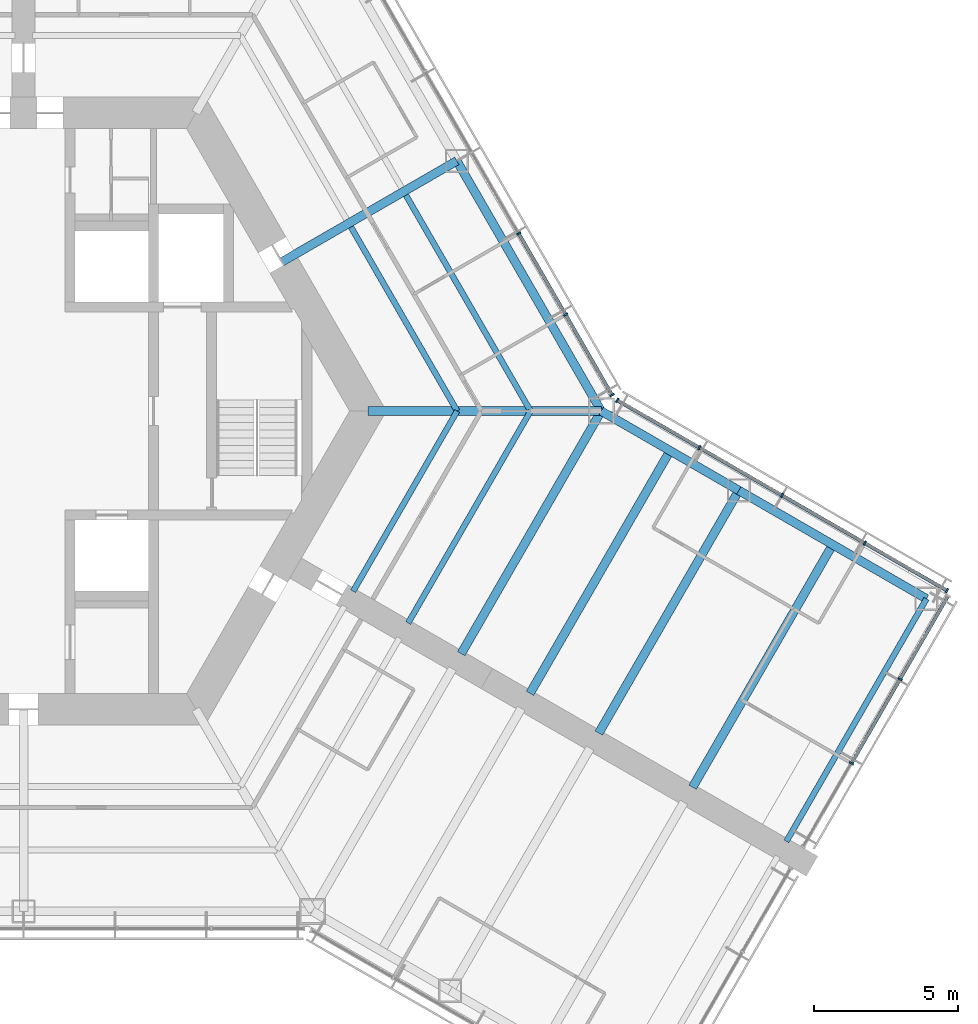
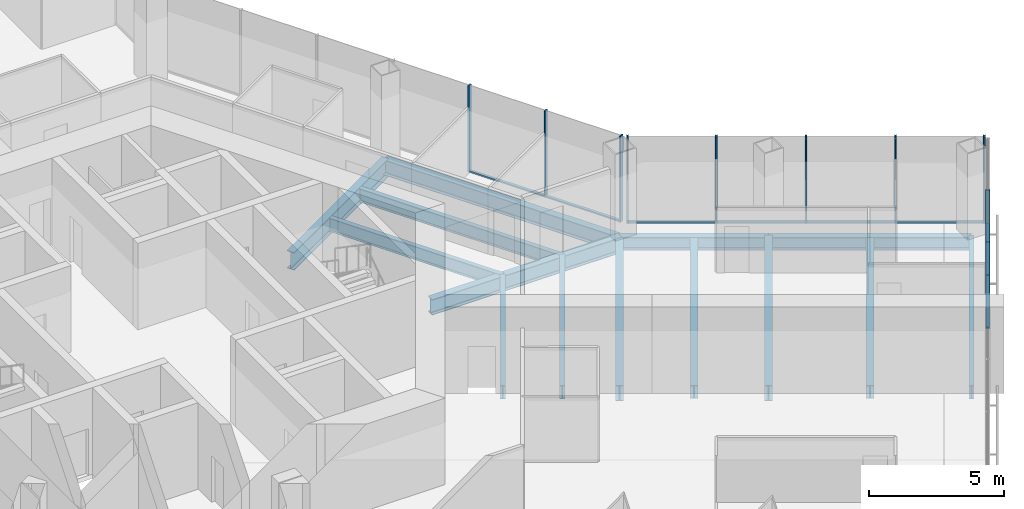
# One storey, part 6 of 19: 18 members, 14 beams, 3 elements without a shape of their own.
"""IFC4 building model written with IfcOpenShell, lengths in metres."""

from ifc_helpers import new_model, si_unit, direction, frame, origin, origin_2d, place, context, subcontext, project, spatial, rectangle, i_section, extrude, material, material_profile, profile_set, type_object, element, aggregate, save


model = new_model("IFC4")

# Units and contexts
model_context = context("Model", 3, precision=1e-05, world=origin(), true_north=direction((0.0, 1.0)))
body_context = subcontext(model_context, "Body", "Model", "MODEL_VIEW")
ifc_project = project(units=[si_unit("LENGTHUNIT", "METRE"), si_unit("AREAUNIT", "SQUARE_METRE"), si_unit("VOLUMEUNIT", "CUBIC_METRE"), si_unit("PLANEANGLEUNIT", "RADIAN"), si_unit("MASSUNIT", "GRAM", prefix="KILO")], contexts=[model_context])

# Site, building, storey
site_placement = place(None, origin())
site = spatial("IfcSite", under=ifc_project, at=site_placement, CompositionType="ELEMENT")
building_placement = place(site_placement, origin())
building = spatial("IfcBuilding", under=site, at=building_placement, Name="Kasaneha Research Tower", CompositionType="ELEMENT")
storey_placement = place(building_placement, frame((0.0, 0.0, 96.300048828125)))
storey = spatial("IfcBuildingStorey", under=building, at=storey_placement, Name="L24", CompositionType="ELEMENT", Elevation=96.300048828125)

# Beams
ifc_material_1 = material(Name="Steel SN490B", Category="steel")
ifc_material_profile_1 = material_profile(ifc_material_1, i_section(OverallWidth=0.199951171875, OverallDepth=0.60009765625, WebThickness=0.010986328125, FlangeThickness=0.01708984375, FilletRadius=0.012939453125, at=origin_2d()), Name="H-600x200x11x17")
ifc_profile_set_1 = profile_set([ifc_material_profile_1], Name="Steel SN490B")
beam_type_1 = type_object("IfcBeamType", Name="B1-3 secondary beam H-600x200x11x17", PredefinedType="JOIST", material=ifc_profile_set_1)
beam_1_placement = place(storey_placement, frame((15.010986328125, 0.0, -0.449951171875), z_axis=(-0.499994443168, 0.866028611999, 0.0), x_axis=(-0.866028611999, -0.499994443168, 0.0)))
element("IfcBeam", 1, at=beam_1_placement, inside=storey, type_object=beam_type_1, Name="Secondary beam RS030L1 L24", PredefinedType="JOIST", context=body_context, shape_type="SweptSolid", body=[
    extrude(i_section(OverallWidth=0.199951171875, OverallDepth=0.60009765625, WebThickness=0.010986328125, FlangeThickness=0.01708984375, FilletRadius=0.012939453125, at=origin_2d()), origin(), (0.0, 0.0, 1.0), 7.35546875),
])
beam_2_placement = place(storey_placement, frame((17.551513671875, 0.0, -0.449951171875), z_axis=(-0.5000050195, 0.866022505755, 0.0), x_axis=(-0.866022505755, -0.5000050195, 0.0)))
element("IfcBeam", 2, at=beam_2_placement, inside=storey, type_object=beam_type_1, Name="Secondary beam RS030L2 L24", PredefinedType="JOIST", context=body_context, shape_type="SweptSolid", body=[
    extrude(i_section(OverallWidth=0.199951171875, OverallDepth=0.60009765625, WebThickness=0.010986328125, FlangeThickness=0.01708984375, FilletRadius=0.012939453125, at=origin_2d()), origin(), (0.0, 0.0, 1.0), 8.6259765625),
])
beam_3_placement = place(storey_placement, frame((15.010986328125, 0.0, -0.449951171875), z_axis=(-0.499972735707, -0.866041144259, 0.0), x_axis=(0.866041144259, -0.499972735707, 0.0)))
element("IfcBeam", 3, at=beam_3_placement, inside=storey, type_object=beam_type_1, Name="Secondary beam RS330R1 L24", PredefinedType="JOIST", context=body_context, shape_type="SweptSolid", body=[
    extrude(i_section(OverallWidth=0.199951171875, OverallDepth=0.60009765625, WebThickness=0.010986328125, FlangeThickness=0.01708984375, FilletRadius=0.012939453125, at=origin_2d()), origin(), (0.0, 0.0, 1.0), 7.20556640625),
])
beam_4_placement = place(storey_placement, frame((17.551513671875, 0.0, -0.449951171875), z_axis=(-0.500020829043, -0.866013377797, 0.0), x_axis=(0.866013377797, -0.500020829043, 0.0)))
element("IfcBeam", 4, at=beam_4_placement, inside=storey, type_object=beam_type_1, Name="Secondary beam RS330R2 L24", PredefinedType="JOIST", context=body_context, shape_type="SweptSolid", body=[
    extrude(i_section(OverallWidth=0.199951171875, OverallDepth=0.60009765625, WebThickness=0.010986328125, FlangeThickness=0.01708984375, FilletRadius=0.012939453125, at=origin_2d()), origin(), (0.0, 0.0, 1.0), 8.475830078125),
])
ifc_material_2 = material(Name="Steel SN490B", Category="steel")
ifc_material_profile_2 = material_profile(ifc_material_2, i_section(OverallWidth=0.300048828125, OverallDepth=0.58203125, WebThickness=0.011962890625, FlangeThickness=0.01708984375, FilletRadius=0.012939453125, at=origin_2d()), Name="H-582x300x12x17")
ifc_profile_set_2 = profile_set([ifc_material_profile_2], Name="Steel SN490B")
beam_type_2 = type_object("IfcBeamType", Name="B2-3 secondary beam H-582x300x12x17", PredefinedType="JOIST", material=ifc_profile_set_2)
for number, where, z_axis, x_axis, name in (
    (5, (22.381591796875, -1.375, -0.441162109375), (-0.500010041276, -0.866019606374, 0.0), (0.866019606374, -0.500010041276, 0.0), "Secondary beam WBCN1 L24"),
    (6, (28.0107421875, -4.625, -0.441162109375), (-0.500010041276, -0.866019606374, 0.0), (0.866019606374, -0.500010041276, 0.0), "Secondary beam WBCN2 L24"),
):
    element("IfcBeam", number, at=place(storey_placement, frame(where, z_axis=z_axis, x_axis=x_axis)), inside=storey, type_object=beam_type_2, Name=name, PredefinedType="JOIST", context=body_context, shape_type="SweptSolid", body=[
        extrude(i_section(OverallWidth=0.300048828125, OverallDepth=0.58203125, WebThickness=0.011962890625, FlangeThickness=0.01708984375, FilletRadius=0.012939453125, at=origin_2d()), origin(), (0.0, 0.0, 1.0), 9.699951171875),
    ])

# Curtain wall, members
ifc_material_3 = material(Name="Glass and aluminium", Category="aluminium")
curtain_wall_type = type_object("IfcCurtainWallType", Name="Low-rise office curtain wall", PredefinedType="USERDEFINED", material=ifc_material_3)
curtain_wall_1_placement = place(storey_placement, origin())
curtain_wall_1 = element("IfcCurtainWall", 7, at=curtain_wall_1_placement, inside=storey, type_object=curtain_wall_type, Name="CW-O1 L24 run 05a", ObjectType="UNITISED CURTAIN WALL", PredefinedType="USERDEFINED")
ifc_material_4 = material(Name="Aluminium 6063-T6", Category="aluminium")
ifc_material_profile_3 = material_profile(ifc_material_4, rectangle(XDim=0.06005859375, YDim=0.159912109375, at=origin_2d()), Name="CW-O1 mullion 60x160")
ifc_profile_set_3 = profile_set([ifc_material_profile_3], Name="Aluminium 6063-T6")
member_type_1 = type_object("IfcMemberType", Name="CW-O1 mullion", PredefinedType="MULLION", material=ifc_profile_set_3)
member_1_placement = place(storey_placement, frame((28.661376953125, -12.1982421875, 0.0), z_axis=(0.0, 0.0, 1.0), x_axis=(0.500000011442, 0.866025397178, 0.0)))
member_1 = element("IfcMember", 8, at=member_1_placement, type_object=member_type_1, Name="CW-O1 mullion 2", PredefinedType="MULLION", context=body_context, shape_type="SweptSolid", body=[
    extrude(rectangle(XDim=0.06005859375, YDim=0.159912109375, at=origin_2d()), origin(), (0.0, 0.0, 1.0), 3.89990234375),
])
member_2_placement = place(storey_placement, frame((30.3447265625, -9.28271484375, 0.0), z_axis=(0.0, 0.0, 1.0), x_axis=(0.500000011442, 0.866025397178, 0.0)))
member_2 = element("IfcMember", 9, at=member_2_placement, type_object=member_type_1, Name="CW-O1 mullion 3", PredefinedType="MULLION", context=body_context, shape_type="SweptSolid", body=[
    extrude(rectangle(XDim=0.06005859375, YDim=0.159912109375, at=origin_2d()), origin(), (0.0, 0.0, 1.0), 3.89990234375),
])

curtain_wall_2_placement = place(storey_placement, origin())
curtain_wall_2 = element("IfcCurtainWall", 10, at=curtain_wall_2_placement, inside=storey, type_object=curtain_wall_type, Name="CW-O1 L24 run 06a", ObjectType="UNITISED CURTAIN WALL", PredefinedType="USERDEFINED")
member_3_placement = place(storey_placement, frame((31.96533203125, -6.21533203125, 0.0), z_axis=(0.0, 0.0, 1.0), x_axis=(-0.866025411464, 0.499999986699, 0.0)))
member_3 = element("IfcMember", 11, at=member_3_placement, type_object=member_type_1, Name="CW-O1 mullion 1", PredefinedType="MULLION", context=body_context, shape_type="SweptSolid", body=[
    extrude(rectangle(XDim=0.06005859375, YDim=0.159912109375, at=origin_2d()), origin(), (0.0, 0.0, 1.0), 3.89990234375),
])
member_4_placement = place(storey_placement, frame((29.125, -4.575439453125, 0.0), z_axis=(0.0, 0.0, 1.0), x_axis=(-0.866025411464, 0.499999986699, 0.0)))
member_4 = element("IfcMember", 12, at=member_4_placement, type_object=member_type_1, Name="CW-O1 mullion 2", PredefinedType="MULLION", context=body_context, shape_type="SweptSolid", body=[
    extrude(rectangle(XDim=0.06005859375, YDim=0.159912109375, at=origin_2d()), origin(), (0.0, 0.0, 1.0), 3.89990234375),
])
member_5_placement = place(storey_placement, frame((26.258544921875, -2.920654296875, 0.0), z_axis=(0.0, 0.0, 1.0), x_axis=(-0.866025411464, 0.499999986699, 0.0)))
member_5 = element("IfcMember", 13, at=member_5_placement, type_object=member_type_1, Name="CW-O1 mullion 3", PredefinedType="MULLION", context=body_context, shape_type="SweptSolid", body=[
    extrude(rectangle(XDim=0.06005859375, YDim=0.159912109375, at=origin_2d()), origin(), (0.0, 0.0, 1.0), 3.89990234375),
])
member_6_placement = place(storey_placement, frame((23.39208984375, -1.265625, 0.0), z_axis=(0.0, 0.0, 1.0), x_axis=(-0.866025411464, 0.499999986699, 0.0)))
member_6 = element("IfcMember", 14, at=member_6_placement, type_object=member_type_1, Name="CW-O1 mullion 4", PredefinedType="MULLION", context=body_context, shape_type="SweptSolid", body=[
    extrude(rectangle(XDim=0.06005859375, YDim=0.159912109375, at=origin_2d()), origin(), (0.0, 0.0, 1.0), 3.89990234375),
])
member_7_placement = place(storey_placement, frame((20.5517578125, 0.374267578125, 0.0), z_axis=(0.0, 0.0, 1.0), x_axis=(-0.866025411464, 0.499999986699, 0.0)))
member_7 = element("IfcMember", 15, at=member_7_placement, type_object=member_type_1, Name="CW-O1 mullion 5", PredefinedType="MULLION", context=body_context, shape_type="SweptSolid", body=[
    extrude(rectangle(XDim=0.06005859375, YDim=0.159912109375, at=origin_2d()), origin(), (0.0, 0.0, 1.0), 3.89990234375),
])

curtain_wall_3_placement = place(storey_placement, origin())
curtain_wall_3 = element("IfcCurtainWall", 16, at=curtain_wall_3_placement, inside=storey, type_object=curtain_wall_type, Name="CW-O1 L24 run 07a", ObjectType="UNITISED CURTAIN WALL", PredefinedType="USERDEFINED")
member_8_placement = place(storey_placement, frame((20.374267578125, 0.5517578125, 0.0), z_axis=(0.0, 0.0, 1.0), x_axis=(-0.49999996188, 0.866025425793, 0.0)))
member_8 = element("IfcMember", 17, at=member_8_placement, type_object=member_type_1, Name="CW-O1 mullion 1", PredefinedType="MULLION", context=body_context, shape_type="SweptSolid", body=[
    extrude(rectangle(XDim=0.06005859375, YDim=0.159912109375, at=origin_2d()), origin(), (0.0, 0.0, 1.0), 3.89990234375),
])
member_9_placement = place(storey_placement, frame((18.76611328125, 3.33740234375, 0.0), z_axis=(0.0, 0.0, 1.0), x_axis=(-0.49999996188, 0.866025425793, 0.0)))
member_9 = element("IfcMember", 18, at=member_9_placement, type_object=member_type_1, Name="CW-O1 mullion 2", PredefinedType="MULLION", context=body_context, shape_type="SweptSolid", body=[
    extrude(rectangle(XDim=0.06005859375, YDim=0.159912109375, at=origin_2d()), origin(), (0.0, 0.0, 1.0), 3.89990234375),
])
member_10_placement = place(storey_placement, frame((17.142822265625, 6.148681640625, 0.0), z_axis=(0.0, 0.0, 1.0), x_axis=(-0.49999996188, 0.866025425793, 0.0)))
member_10 = element("IfcMember", 19, at=member_10_placement, type_object=member_type_1, Name="CW-O1 mullion 3", PredefinedType="MULLION", context=body_context, shape_type="SweptSolid", body=[
    extrude(rectangle(XDim=0.06005859375, YDim=0.159912109375, at=origin_2d()), origin(), (0.0, 0.0, 1.0), 3.89990234375),
])

# Member
ifc_material_5 = material(Name="Aluminium 6063-T6", Category="aluminium")
ifc_material_profile_4 = material_profile(ifc_material_5, rectangle(XDim=0.1201171875, YDim=0.06005859375, at=origin_2d()), Name="CW-O1 transom 120x60")
ifc_profile_set_4 = profile_set([ifc_material_profile_4], Name="Aluminium 6063-T6")
member_type_2 = type_object("IfcMemberType", Name="CW-O1 transom", PredefinedType="USERDEFINED", material=ifc_profile_set_4)
member_11_placement = place(storey_placement, frame((28.67626953125, -12.17236328125, 0.030029296875), z_axis=(0.499982354831, 0.866035590988, 0.0), x_axis=(-0.866035590988, 0.499982354831, 0.0)))
member_11 = element("IfcMember", 20, at=member_11_placement, type_object=member_type_2, Name="CW-O1 transom 2", ObjectType="TRANSOM", PredefinedType="USERDEFINED", context=body_context, shape_type="SweptSolid", body=[
    extrude(rectangle(XDim=0.1201171875, YDim=0.06005859375, at=origin_2d()), origin(), (0.0, 0.0, 1.0), 3.306640625),
])

member_12_placement = place(storey_placement, frame((30.359619140625, -9.256591796875, 0.030029296875), z_axis=(0.500025583411, 0.866010632691, 0.0), x_axis=(-0.866010632691, 0.500025583411, 0.0)))
member_12 = element("IfcMember", 21, at=member_12_placement, type_object=member_type_2, Name="CW-O1 transom 3", ObjectType="TRANSOM", PredefinedType="USERDEFINED", context=body_context, shape_type="SweptSolid", body=[
    extrude(rectangle(XDim=0.1201171875, YDim=0.06005859375, at=origin_2d()), origin(), (0.0, 0.0, 1.0), 3.276611328125),
])

aggregate(curtain_wall_1, [member_1, member_2, member_11, member_12])

member_13_placement = place(storey_placement, frame((31.939453125, -6.200439453125, 0.030029296875), z_axis=(-0.866041647767, 0.499971863542, 0.0), x_axis=(-0.499971863542, -0.866041647767, 0.0)))
member_13 = element("IfcMember", 22, at=member_13_placement, type_object=member_type_2, Name="CW-O1 transom 1", ObjectType="TRANSOM", PredefinedType="USERDEFINED", context=body_context, shape_type="SweptSolid", body=[
    extrude(rectangle(XDim=0.1201171875, YDim=0.06005859375, at=origin_2d()), origin(), (0.0, 0.0, 1.0), 3.219970703125),
])

member_14_placement = place(storey_placement, frame((29.098876953125, -4.560546875, 0.030029296875), z_axis=(-0.86599666273, 0.500049777664, 0.0), x_axis=(-0.500049777664, -0.86599666273, 0.0)))
member_14 = element("IfcMember", 23, at=member_14_placement, type_object=member_type_2, Name="CW-O1 transom 2", ObjectType="TRANSOM", PredefinedType="USERDEFINED", context=body_context, shape_type="SweptSolid", body=[
    extrude(rectangle(XDim=0.1201171875, YDim=0.06005859375, at=origin_2d()), origin(), (0.0, 0.0, 1.0), 3.249755859375),
])

member_15_placement = place(storey_placement, frame((26.232666015625, -2.905517578125, 0.030029296875), z_axis=(-0.86604797581, 0.499960902066, 0.0), x_axis=(-0.499960902066, -0.86604797581, 0.0)))
member_15 = element("IfcMember", 24, at=member_15_placement, type_object=member_type_2, Name="CW-O1 transom 3", ObjectType="TRANSOM", PredefinedType="USERDEFINED", context=body_context, shape_type="SweptSolid", body=[
    extrude(rectangle(XDim=0.1201171875, YDim=0.06005859375, at=origin_2d()), origin(), (0.0, 0.0, 1.0), 3.249755859375),
])

member_16_placement = place(storey_placement, frame((23.3662109375, -1.250732421875, 0.030029296875), z_axis=(-0.866022692473, 0.500004696101, 0.0), x_axis=(-0.500004696101, -0.866022692473, 0.0)))
member_16 = element("IfcMember", 25, at=member_16_placement, type_object=member_type_2, Name="CW-O1 transom 4", ObjectType="TRANSOM", PredefinedType="USERDEFINED", context=body_context, shape_type="SweptSolid", body=[
    extrude(rectangle(XDim=0.1201171875, YDim=0.06005859375, at=origin_2d()), origin(), (0.0, 0.0, 1.0), 3.2197265625),
])

aggregate(curtain_wall_2, [member_3, member_4, member_5, member_6, member_7, member_13, member_14, member_15, member_16])

member_17_placement = place(storey_placement, frame((20.359130859375, 0.577880859375, 0.030029296875), z_axis=(-0.499999210213, 0.866025859768, 0.0), x_axis=(-0.866025859768, -0.499999210213, 0.0)))
member_17 = element("IfcMember", 26, at=member_17_placement, type_object=member_type_2, Name="CW-O1 transom 1", ObjectType="TRANSOM", PredefinedType="USERDEFINED", context=body_context, shape_type="SweptSolid", body=[
    extrude(rectangle(XDim=0.1201171875, YDim=0.06005859375, at=origin_2d()), origin(), (0.0, 0.0, 1.0), 3.15625),
])

member_18_placement = place(storey_placement, frame((18.7509765625, 3.36328125, 0.030029296875), z_axis=(-0.500012062035, 0.866018439653, 0.0), x_axis=(-0.866018439653, -0.500012062035, 0.0)))
member_18 = element("IfcMember", 27, at=member_18_placement, type_object=member_type_2, Name="CW-O1 transom 2", ObjectType="TRANSOM", PredefinedType="USERDEFINED", context=body_context, shape_type="SweptSolid", body=[
    extrude(rectangle(XDim=0.1201171875, YDim=0.06005859375, at=origin_2d()), origin(), (0.0, 0.0, 1.0), 3.1865234375),
])

aggregate(curtain_wall_3, [member_8, member_9, member_10, member_17, member_18])

# Beams
ifc_material_6 = material(Name="Steel SN490B", Category="steel")
ifc_material_profile_5 = material_profile(ifc_material_6, i_section(OverallWidth=0.300048828125, OverallDepth=0.699951171875, WebThickness=0.012939453125, FlangeThickness=0.02392578125, FilletRadius=0.01806640625, at=origin_2d()), Name="H-700x300x13x24")
ifc_profile_set_5 = profile_set([ifc_material_profile_5], Name="Steel SN490B")
beam_type_3 = type_object("IfcBeamType", Name="G1-3 radial girder H-700x300x13x24", PredefinedType="BEAM", material=ifc_profile_set_5)
beam_5_placement = place(storey_placement, frame((11.92236328125, 0.0, -0.5), z_axis=(1.0, 0.0, 0.0), x_axis=(0.0, 1.0, 0.0)))
element("IfcBeam", 28, at=beam_5_placement, inside=storey, type_object=beam_type_3, Name="Radial girder RV000 L24", PredefinedType="BEAM", context=body_context, shape_type="SweptSolid", body=[
    extrude(i_section(OverallWidth=0.300048828125, OverallDepth=0.699951171875, WebThickness=0.012939453125, FlangeThickness=0.02392578125, FilletRadius=0.01806640625, at=origin_2d()), origin(), (0.0, 0.0, 1.0), 8.07763671875),
])
ifc_material_7 = material(Name="Steel SN490B", Category="steel")
ifc_material_profile_6 = material_profile(ifc_material_7, i_section(OverallWidth=0.300048828125, OverallDepth=0.800048828125, WebThickness=0.013916015625, FlangeThickness=0.02587890625, FilletRadius=0.01806640625, at=origin_2d()), Name="H-800x300x14x26")
ifc_profile_set_6 = profile_set([ifc_material_profile_6], Name="Steel SN490B")
beam_type_4 = type_object("IfcBeamType", Name="G2-3 radial girder H-800x300x14x26", PredefinedType="BEAM", material=ifc_profile_set_6)
beam_6_placement = place(storey_placement, frame((8.941650390625, 5.16259765625, -0.550048828125), z_axis=(0.866039713508, 0.499975214012, 0.0), x_axis=(-0.499975214012, 0.866039713508, 0.0)))
element("IfcBeam", 29, at=beam_6_placement, inside=storey, type_object=beam_type_4, Name="Radial girder RM030 L24", PredefinedType="BEAM", context=body_context, shape_type="SweptSolid", body=[
    extrude(i_section(OverallWidth=0.300048828125, OverallDepth=0.800048828125, WebThickness=0.013916015625, FlangeThickness=0.02587890625, FilletRadius=0.01806640625, at=origin_2d()), origin(), (0.0, 0.0, 1.0), 6.995361328125),
])
ifc_material_8 = material(Name="Steel SN490B", Category="steel")
ifc_material_profile_7 = material_profile(ifc_material_8, i_section(OverallWidth=0.300048828125, OverallDepth=0.69189453125, WebThickness=0.012939453125, FlangeThickness=0.02001953125, FilletRadius=0.01806640625, at=origin_2d()), Name="H-692x300x13x20")
ifc_profile_set_7 = profile_set([ifc_material_profile_7], Name="Steel SN490B")
beam_type_5 = type_object("IfcBeamType", Name="G3-3 plate edge girder H-692x300x13x20", PredefinedType="BEAM", material=ifc_profile_set_7)
beam_7_placement = place(storey_placement, frame((20.0, 0.0, -0.49609375), z_axis=(-0.500010041276, -0.866019606374, 0.0), x_axis=(0.866019606374, -0.500010041276, 0.0)))
element("IfcBeam", 30, at=beam_7_placement, inside=storey, type_object=beam_type_5, Name="Plate edge girder PECN L24", PredefinedType="BEAM", context=body_context, shape_type="SweptSolid", body=[
    extrude(i_section(OverallWidth=0.300048828125, OverallDepth=0.69189453125, WebThickness=0.012939453125, FlangeThickness=0.02001953125, FilletRadius=0.01806640625, at=origin_2d()), origin(), (0.0, 0.0, 1.0), 9.699951171875),
])
ifc_material_9 = material(Name="Steel SN490B", Category="steel")
ifc_material_profile_8 = material_profile(ifc_material_9, i_section(OverallWidth=0.300048828125, OverallDepth=0.699951171875, WebThickness=0.012939453125, FlangeThickness=0.02392578125, FilletRadius=0.01806640625, at=origin_2d()), Name="H-700x300x13x24")
ifc_profile_set_8 = profile_set([ifc_material_profile_8], Name="Steel SN490B")
beam_type_6 = type_object("IfcBeamType", Name="G4-3 wing girder H-700x300x13x24", PredefinedType="BEAM", material=ifc_profile_set_8)
beam_8_placement = place(storey_placement, frame((24.76318359375, -2.75, -0.5), z_axis=(-0.500010041276, -0.866019606374, 0.0), x_axis=(0.866019606374, -0.500010041276, 0.0)))
element("IfcBeam", 31, at=beam_8_placement, inside=storey, type_object=beam_type_6, Name="Wing girder WGCN L24", PredefinedType="BEAM", context=body_context, shape_type="SweptSolid", body=[
    extrude(i_section(OverallWidth=0.300048828125, OverallDepth=0.699951171875, WebThickness=0.012939453125, FlangeThickness=0.02392578125, FilletRadius=0.01806640625, at=origin_2d()), origin(), (0.0, 0.0, 1.0), 9.699951171875),
])
ifc_material_10 = material(Name="Steel SN490B", Category="steel")
ifc_material_profile_9 = material_profile(ifc_material_10, i_section(OverallWidth=0.300048828125, OverallDepth=0.69189453125, WebThickness=0.012939453125, FlangeThickness=0.02001953125, FilletRadius=0.01806640625, at=origin_2d()), Name="H-692x300x13x20")
ifc_profile_set_9 = profile_set([ifc_material_profile_9], Name="Steel SN490B")
beam_type_7 = type_object("IfcBeamType", Name="SB1-3 spandrel beam H-692x300x13x20", PredefinedType="SPANDREL", material=ifc_profile_set_9)
beam_9_placement = place(storey_placement, frame((20.0, 0.0, -0.49609375), z_axis=(-0.500004234368, 0.866022959057, 0.0), x_axis=(-0.866022959057, -0.500004234368, 0.0)))
element("IfcBeam", 32, at=beam_9_placement, inside=storey, type_object=beam_type_7, Name="Spandrel beam SR030L L24", PredefinedType="SPANDREL", context=body_context, shape_type="SweptSolid", body=[
    extrude(i_section(OverallWidth=0.300048828125, OverallDepth=0.69189453125, WebThickness=0.012939453125, FlangeThickness=0.02001953125, FilletRadius=0.01806640625, at=origin_2d()), origin(), (0.0, 0.0, 1.0), 10.0),
])
ifc_material_11 = material(Name="Steel SN490B", Category="steel")
ifc_material_profile_10 = material_profile(ifc_material_11, i_section(OverallWidth=0.300048828125, OverallDepth=0.58203125, WebThickness=0.011962890625, FlangeThickness=0.01708984375, FilletRadius=0.012939453125, at=origin_2d()), Name="H-582x300x12x17")
ifc_profile_set_10 = profile_set([ifc_material_profile_10], Name="Steel SN490B")
beam_type_8 = type_object("IfcBeamType", Name="SB2-3 spandrel beam H-582x300x12x17", PredefinedType="SPANDREL", material=ifc_profile_set_10)
beam_10_placement = place(storey_placement, frame((20.0, 0.0, -0.441162109375), z_axis=(0.866027397988, -0.499996545922, 0.0), x_axis=(0.499996545922, 0.866027397988, 0.0)))
element("IfcBeam", 33, at=beam_10_placement, inside=storey, type_object=beam_type_8, Name="Spandrel beam WSCN1 L24", PredefinedType="SPANDREL", context=body_context, shape_type="SweptSolid", body=[
    extrude(i_section(OverallWidth=0.300048828125, OverallDepth=0.58203125, WebThickness=0.011962890625, FlangeThickness=0.01708984375, FilletRadius=0.012939453125, at=origin_2d()), origin(), (0.0, 0.0, 1.0), 5.5),
])
beam_11_placement = place(storey_placement, frame((24.76318359375, -2.75, -0.441162109375), z_axis=(0.866022959057, -0.500004234368, 0.0), x_axis=(0.500004234368, 0.866022959057, 0.0)))
element("IfcBeam", 34, at=beam_11_placement, inside=storey, type_object=beam_type_8, Name="Spandrel beam WSCN2 L24", PredefinedType="SPANDREL", context=body_context, shape_type="SweptSolid", body=[
    extrude(i_section(OverallWidth=0.300048828125, OverallDepth=0.58203125, WebThickness=0.011962890625, FlangeThickness=0.01708984375, FilletRadius=0.012939453125, at=origin_2d()), origin(), (0.0, 0.0, 1.0), 7.5),
])
ifc_material_12 = material(Name="Steel SN490B", Category="steel")
ifc_material_profile_11 = material_profile(ifc_material_12, i_section(OverallWidth=0.199951171875, OverallDepth=0.60009765625, WebThickness=0.010986328125, FlangeThickness=0.01708984375, FilletRadius=0.012939453125, at=origin_2d()), Name="H-600x200x11x17")
ifc_profile_set_11 = profile_set([ifc_material_profile_11], Name="Steel SN490B")
beam_type_9 = type_object("IfcBeamType", Name="SB3-3 spandrel beam H-600x200x11x17", PredefinedType="SPANDREL", material=ifc_profile_set_11)
beam_12_placement = place(storey_placement, frame((31.25830078125, -6.5, -0.449951171875), z_axis=(-0.499991164321, -0.866030505006, 0.0), x_axis=(0.866030505006, -0.499991164321, 0.0)))
element("IfcBeam", 35, at=beam_12_placement, inside=storey, type_object=beam_type_9, Name="Spandrel beam WTCN L24", PredefinedType="SPANDREL", context=body_context, shape_type="SweptSolid", body=[
    extrude(i_section(OverallWidth=0.199951171875, OverallDepth=0.60009765625, WebThickness=0.010986328125, FlangeThickness=0.01708984375, FilletRadius=0.012939453125, at=origin_2d()), origin(), (0.0, 0.0, 1.0), 9.699951171875),
])

save(model, "model.ifc")
